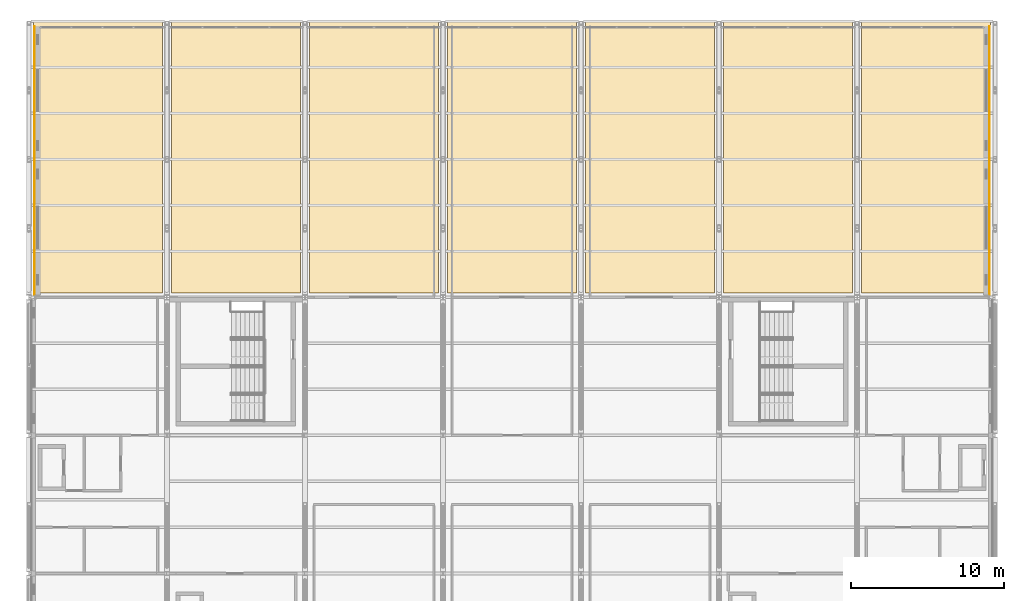
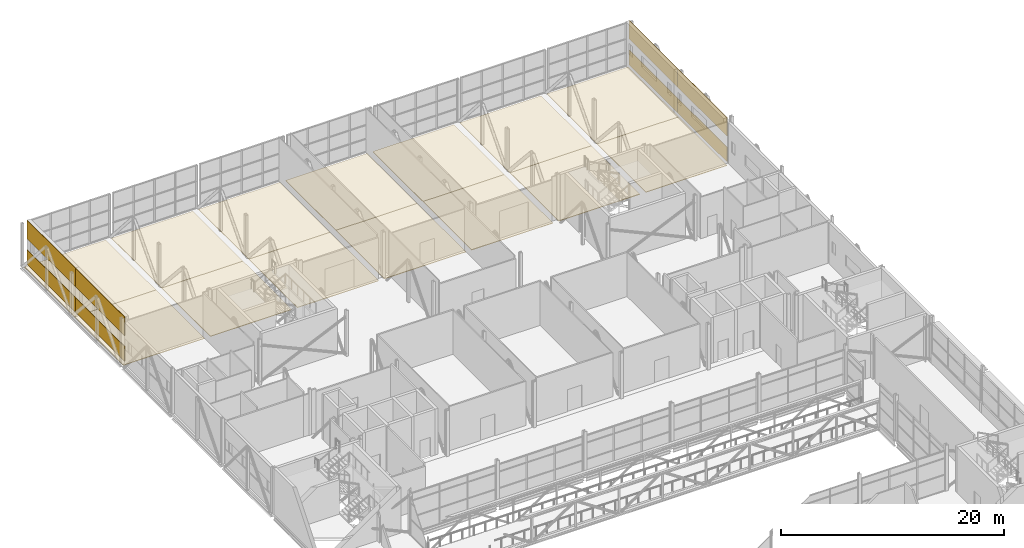
# One storey, part 94 of 94: 22 coverings.
"""IFC4 building model written with IfcOpenShell, lengths in metres."""

from ifc_helpers import new_model, si_unit, direction, frame, origin, origin_2d, place, context, subcontext, project, spatial, rectangle, extrude, material, layer, layer_set, type_object, element, save


model = new_model("IFC4")

# Units and contexts
model_context = context("Model", 3, precision=1e-05, world=origin(), true_north=direction((0.0, 1.0)))
body_context = subcontext(model_context, "Body", "Model", "MODEL_VIEW")
ifc_project = project(units=[si_unit("LENGTHUNIT", "METRE"), si_unit("AREAUNIT", "SQUARE_METRE"), si_unit("VOLUMEUNIT", "CUBIC_METRE"), si_unit("PLANEANGLEUNIT", "RADIAN"), si_unit("MASSUNIT", "GRAM", prefix="KILO")], contexts=[model_context])

# Site, building, storey
site_placement = place(None, origin())
site = spatial("IfcSite", under=ifc_project, at=site_placement, CompositionType="ELEMENT")
building_placement = place(site_placement, origin())
building = spatial("IfcBuilding", under=site, at=building_placement, Name="Shorebreak Coast Museum", CompositionType="ELEMENT")
storey_placement = place(building_placement, frame((0.0, 0.0, 31.0)))
storey = spatial("IfcBuildingStorey", under=building, at=storey_placement, Name="L05", CompositionType="ELEMENT", Elevation=31.0)

# Coverings
ifc_material_1 = material(Name="Aluminium", Category="aluminium")
ifc_layer_1 = layer(ifc_material_1, 0.06005859375)
ifc_layer_set_1 = layer_set([ifc_layer_1], Name="Aluminium")
covering_type_1 = type_object("IfcCoveringType", Name="Soffit cladding plate 60", PredefinedType="CLADDING", material=ifc_layer_set_1)
covering_1_placement = place(storey_placement, frame((58.5, 121.64990234375, -0.542236328125), z_axis=(0.0, 0.0, 1.0), x_axis=(1.0, 0.0, 0.0)))
element("IfcCovering", 1, at=covering_1_placement, inside=storey, type_object=covering_type_1, Name="Soffit cladding 1", PredefinedType="CLADDING", context=body_context, shape_type="SweptSolid", body=[
    extrude(rectangle(XDim=8.39990234375, YDim=8.699951171875, at=origin_2d()), origin(), (0.0, 0.0, 1.0), 0.06005859375),
])
covering_2_placement = place(storey_placement, frame((58.5, 130.5, -0.542236328125), z_axis=(0.0, 0.0, 1.0), x_axis=(1.0, 0.0, 0.0)))
element("IfcCovering", 2, at=covering_2_placement, inside=storey, type_object=covering_type_1, Name="Soffit cladding 2", PredefinedType="CLADDING", context=body_context, shape_type="SweptSolid", body=[
    extrude(rectangle(XDim=8.39990234375, YDim=9.0, at=origin_2d()), origin(), (0.0, 0.0, 1.0), 0.06005859375),
])
covering_3_placement = place(storey_placement, frame((67.5, 121.64990234375, -0.542236328125), z_axis=(0.0, 0.0, 1.0), x_axis=(1.0, 0.0, 0.0)))
element("IfcCovering", 3, at=covering_3_placement, inside=storey, type_object=covering_type_1, Name="Soffit cladding 3", PredefinedType="CLADDING", context=body_context, shape_type="SweptSolid", body=[
    extrude(rectangle(XDim=8.39990234375, YDim=8.699951171875, at=origin_2d()), origin(), (0.0, 0.0, 1.0), 0.06005859375),
])
covering_4_placement = place(storey_placement, frame((67.5, 130.5, -0.542236328125), z_axis=(0.0, 0.0, 1.0), x_axis=(1.0, 0.0, 0.0)))
element("IfcCovering", 4, at=covering_4_placement, inside=storey, type_object=covering_type_1, Name="Soffit cladding 4", PredefinedType="CLADDING", context=body_context, shape_type="SweptSolid", body=[
    extrude(rectangle(XDim=8.39990234375, YDim=9.0, at=origin_2d()), origin(), (0.0, 0.0, 1.0), 0.06005859375),
])
covering_5_placement = place(storey_placement, frame((76.5, 121.64990234375, -0.542236328125), z_axis=(0.0, 0.0, 1.0), x_axis=(1.0, 0.0, 0.0)))
element("IfcCovering", 5, at=covering_5_placement, inside=storey, type_object=covering_type_1, Name="Soffit cladding 5", PredefinedType="CLADDING", context=body_context, shape_type="SweptSolid", body=[
    extrude(rectangle(XDim=8.39990234375, YDim=8.699951171875, at=origin_2d()), origin(), (0.0, 0.0, 1.0), 0.06005859375),
])
covering_6_placement = place(storey_placement, frame((76.5, 130.5, -0.542236328125), z_axis=(0.0, 0.0, 1.0), x_axis=(1.0, 0.0, 0.0)))
element("IfcCovering", 6, at=covering_6_placement, inside=storey, type_object=covering_type_1, Name="Soffit cladding 6", PredefinedType="CLADDING", context=body_context, shape_type="SweptSolid", body=[
    extrude(rectangle(XDim=8.39990234375, YDim=9.0, at=origin_2d()), origin(), (0.0, 0.0, 1.0), 0.06005859375),
])
covering_7_placement = place(storey_placement, frame((85.5, 121.64990234375, -0.542236328125), z_axis=(0.0, 0.0, 1.0), x_axis=(1.0, 0.0, 0.0)))
element("IfcCovering", 7, at=covering_7_placement, inside=storey, type_object=covering_type_1, Name="Soffit cladding 7", PredefinedType="CLADDING", context=body_context, shape_type="SweptSolid", body=[
    extrude(rectangle(XDim=8.39990234375, YDim=8.699951171875, at=origin_2d()), origin(), (0.0, 0.0, 1.0), 0.06005859375),
])
covering_8_placement = place(storey_placement, frame((85.5, 130.5, -0.542236328125), z_axis=(0.0, 0.0, 1.0), x_axis=(1.0, 0.0, 0.0)))
element("IfcCovering", 8, at=covering_8_placement, inside=storey, type_object=covering_type_1, Name="Soffit cladding 8", PredefinedType="CLADDING", context=body_context, shape_type="SweptSolid", body=[
    extrude(rectangle(XDim=8.39990234375, YDim=9.0, at=origin_2d()), origin(), (0.0, 0.0, 1.0), 0.06005859375),
])
covering_9_placement = place(storey_placement, frame((94.5, 121.64990234375, -0.542236328125), z_axis=(0.0, 0.0, 1.0), x_axis=(1.0, 0.0, 0.0)))
element("IfcCovering", 9, at=covering_9_placement, inside=storey, type_object=covering_type_1, Name="Soffit cladding 9", PredefinedType="CLADDING", context=body_context, shape_type="SweptSolid", body=[
    extrude(rectangle(XDim=8.39990234375, YDim=8.699951171875, at=origin_2d()), origin(), (0.0, 0.0, 1.0), 0.06005859375),
])
covering_10_placement = place(storey_placement, frame((94.5, 130.5, -0.542236328125), z_axis=(0.0, 0.0, 1.0), x_axis=(1.0, 0.0, 0.0)))
element("IfcCovering", 10, at=covering_10_placement, inside=storey, type_object=covering_type_1, Name="Soffit cladding 10", PredefinedType="CLADDING", context=body_context, shape_type="SweptSolid", body=[
    extrude(rectangle(XDim=8.39990234375, YDim=9.0, at=origin_2d()), origin(), (0.0, 0.0, 1.0), 0.06005859375),
])
covering_11_placement = place(storey_placement, frame((103.5, 121.64990234375, -0.542236328125), z_axis=(0.0, 0.0, 1.0), x_axis=(1.0, 0.0, 0.0)))
element("IfcCovering", 11, at=covering_11_placement, inside=storey, type_object=covering_type_1, Name="Soffit cladding 11", PredefinedType="CLADDING", context=body_context, shape_type="SweptSolid", body=[
    extrude(rectangle(XDim=8.39990234375, YDim=8.699951171875, at=origin_2d()), origin(), (0.0, 0.0, 1.0), 0.06005859375),
])
covering_12_placement = place(storey_placement, frame((103.5, 130.5, -0.542236328125), z_axis=(0.0, 0.0, 1.0), x_axis=(1.0, 0.0, 0.0)))
element("IfcCovering", 12, at=covering_12_placement, inside=storey, type_object=covering_type_1, Name="Soffit cladding 12", PredefinedType="CLADDING", context=body_context, shape_type="SweptSolid", body=[
    extrude(rectangle(XDim=8.39990234375, YDim=9.0, at=origin_2d()), origin(), (0.0, 0.0, 1.0), 0.06005859375),
])
covering_13_placement = place(storey_placement, frame((112.5, 121.64990234375, -0.542236328125), z_axis=(0.0, 0.0, 1.0), x_axis=(1.0, 0.0, 0.0)))
element("IfcCovering", 13, at=covering_13_placement, inside=storey, type_object=covering_type_1, Name="Soffit cladding 13", PredefinedType="CLADDING", context=body_context, shape_type="SweptSolid", body=[
    extrude(rectangle(XDim=8.39990234375, YDim=8.699951171875, at=origin_2d()), origin(), (0.0, 0.0, 1.0), 0.06005859375),
])
covering_14_placement = place(storey_placement, frame((112.5, 130.5, -0.542236328125), z_axis=(0.0, 0.0, 1.0), x_axis=(1.0, 0.0, 0.0)))
element("IfcCovering", 14, at=covering_14_placement, inside=storey, type_object=covering_type_1, Name="Soffit cladding 14", PredefinedType="CLADDING", context=body_context, shape_type="SweptSolid", body=[
    extrude(rectangle(XDim=8.39990234375, YDim=9.0, at=origin_2d()), origin(), (0.0, 0.0, 1.0), 0.06005859375),
])
ifc_material_2 = material(Name="Aluminium", Category="aluminium")
ifc_layer_2 = layer(ifc_material_2, 0.0400390625)
ifc_layer_set_2 = layer_set([ifc_layer_2], Name="Aluminium")
covering_type_2 = type_object("IfcCoveringType", Name="Zinc standing-seam panel 40", PredefinedType="CLADDING", material=ifc_layer_set_2)
covering_15_placement = place(storey_placement, frame((116.6201171875, 121.581787109375, 0.0), z_axis=(0.0, 0.0, 1.0), x_axis=(1.0, 0.0, 0.0)))
element("IfcCovering", 15, at=covering_15_placement, inside=storey, type_object=covering_type_2, Name="Zinc cladding box L05 E1", PredefinedType="CLADDING", context=body_context, shape_type="SweptSolid", body=[
    extrude(rectangle(XDim=0.0400390625, YDim=8.83642578125, at=origin_2d()), origin(), (0.0, 0.0, 1.0), 1.60009765625),
])
covering_16_placement = place(storey_placement, frame((116.6201171875, 121.581787109375, 2.800048828125), z_axis=(0.0, 0.0, 1.0), x_axis=(1.0, 0.0, 0.0)))
element("IfcCovering", 16, at=covering_16_placement, inside=storey, type_object=covering_type_2, Name="Zinc cladding box L05 E2", PredefinedType="CLADDING", context=body_context, shape_type="SweptSolid", body=[
    extrude(rectangle(XDim=0.0400390625, YDim=8.83642578125, at=origin_2d()), origin(), (0.0, 0.0, 1.0), 2.02490234375),
])
covering_17_placement = place(storey_placement, frame((116.6201171875, 130.33740234375, 0.0), z_axis=(0.0, 0.0, 1.0), x_axis=(1.0, 0.0, 0.0)))
element("IfcCovering", 17, at=covering_17_placement, inside=storey, type_object=covering_type_2, Name="Zinc cladding box L05 E3", PredefinedType="CLADDING", context=body_context, shape_type="SweptSolid", body=[
    extrude(rectangle(XDim=0.0400390625, YDim=8.675048828125, at=origin_2d()), origin(), (0.0, 0.0, 1.0), 1.60009765625),
])
covering_18_placement = place(storey_placement, frame((116.6201171875, 130.33740234375, 2.800048828125), z_axis=(0.0, 0.0, 1.0), x_axis=(1.0, 0.0, 0.0)))
element("IfcCovering", 18, at=covering_18_placement, inside=storey, type_object=covering_type_2, Name="Zinc cladding box L05 E4", PredefinedType="CLADDING", context=body_context, shape_type="SweptSolid", body=[
    extrude(rectangle(XDim=0.0400390625, YDim=8.675048828125, at=origin_2d()), origin(), (0.0, 0.0, 1.0), 2.02490234375),
])
covering_19_placement = place(storey_placement, frame((54.3798828125, 121.581787109375, 0.0), z_axis=(0.0, 0.0, 1.0), x_axis=(1.0, 0.0, 0.0)))
element("IfcCovering", 19, at=covering_19_placement, inside=storey, type_object=covering_type_2, Name="Zinc cladding box L05 W5", PredefinedType="CLADDING", context=body_context, shape_type="SweptSolid", body=[
    extrude(rectangle(XDim=0.0400390625, YDim=8.83642578125, at=origin_2d()), origin(), (0.0, 0.0, 1.0), 1.60009765625),
])
covering_20_placement = place(storey_placement, frame((54.3798828125, 121.581787109375, 2.800048828125), z_axis=(0.0, 0.0, 1.0), x_axis=(1.0, 0.0, 0.0)))
element("IfcCovering", 20, at=covering_20_placement, inside=storey, type_object=covering_type_2, Name="Zinc cladding box L05 W6", PredefinedType="CLADDING", context=body_context, shape_type="SweptSolid", body=[
    extrude(rectangle(XDim=0.0400390625, YDim=8.83642578125, at=origin_2d()), origin(), (0.0, 0.0, 1.0), 2.02490234375),
])
covering_21_placement = place(storey_placement, frame((54.3798828125, 130.33740234375, 0.0), z_axis=(0.0, 0.0, 1.0), x_axis=(1.0, 0.0, 0.0)))
element("IfcCovering", 21, at=covering_21_placement, inside=storey, type_object=covering_type_2, Name="Zinc cladding box L05 W7", PredefinedType="CLADDING", context=body_context, shape_type="SweptSolid", body=[
    extrude(rectangle(XDim=0.0400390625, YDim=8.675048828125, at=origin_2d()), origin(), (0.0, 0.0, 1.0), 1.60009765625),
])
covering_22_placement = place(storey_placement, frame((54.3798828125, 130.33740234375, 2.800048828125), z_axis=(0.0, 0.0, 1.0), x_axis=(1.0, 0.0, 0.0)))
element("IfcCovering", 22, at=covering_22_placement, inside=storey, type_object=covering_type_2, Name="Zinc cladding box L05 W8", PredefinedType="CLADDING", context=body_context, shape_type="SweptSolid", body=[
    extrude(rectangle(XDim=0.0400390625, YDim=8.675048828125, at=origin_2d()), origin(), (0.0, 0.0, 1.0), 2.02490234375),
])

save(model, "model.ifc")
